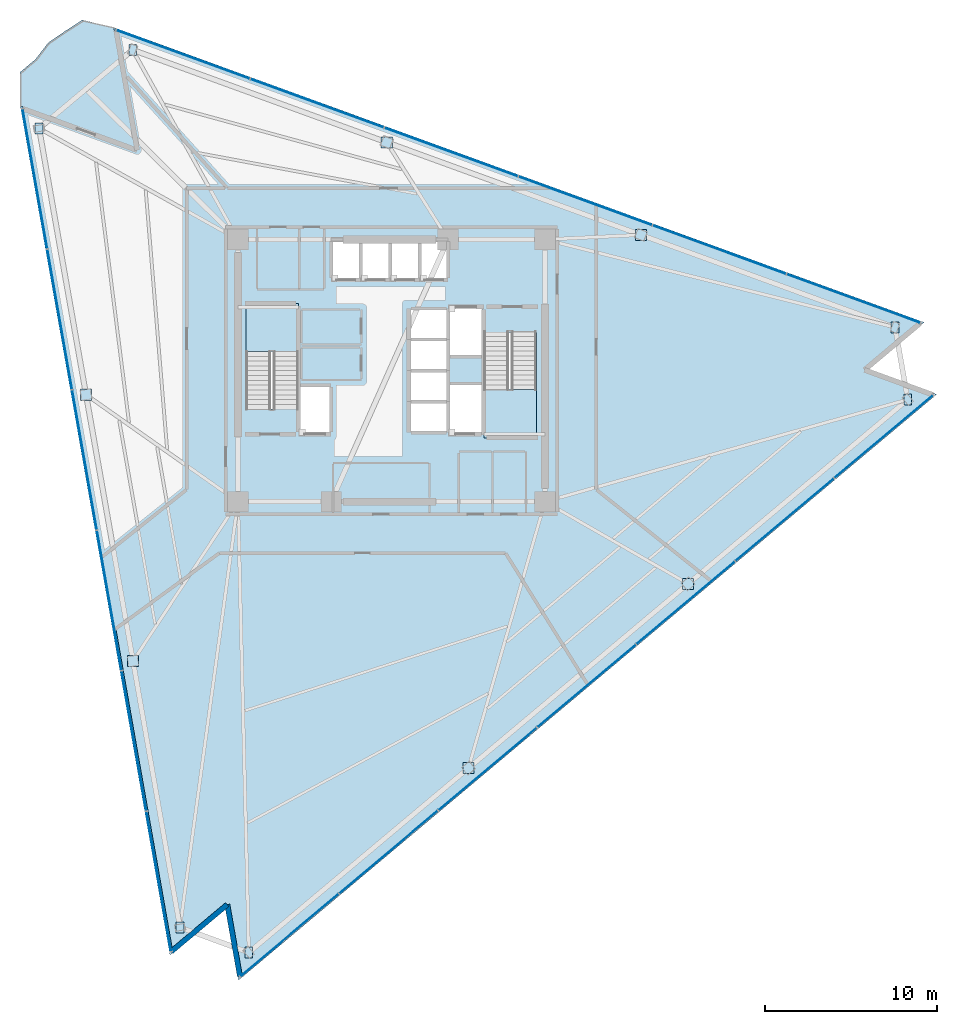
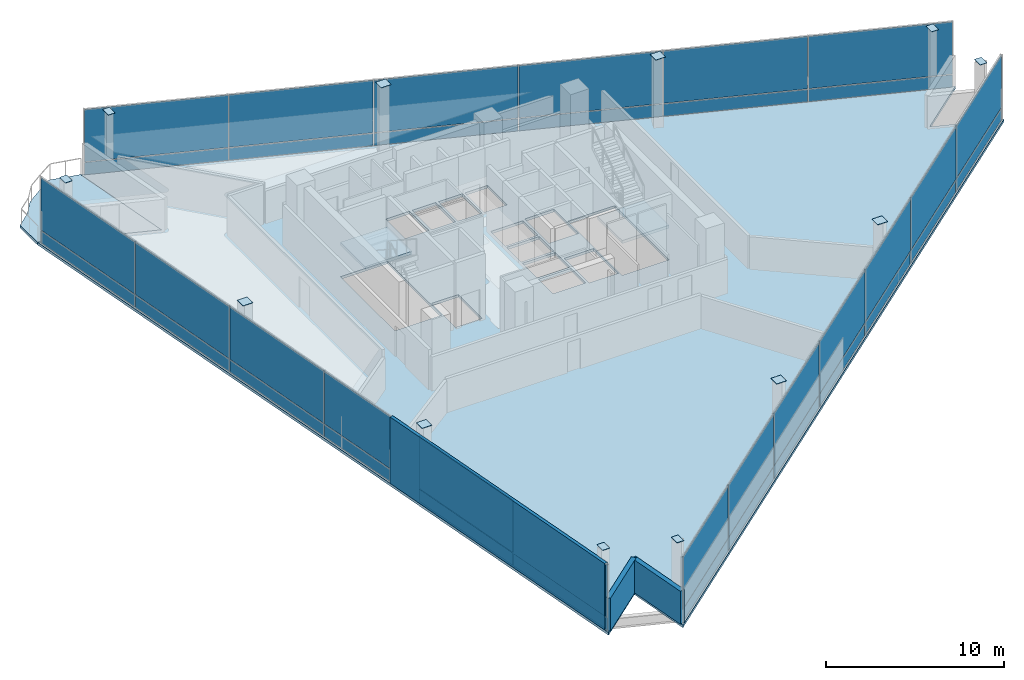
# One storey, part 9 of 15: 50 plates, 4 slabs, 3 walls, 5 elements without a shape of their own.
"""IFC4 building model written with IfcOpenShell, lengths in metres."""

from ifc_helpers import new_model, si_unit, direction, frame, frame_2d, origin, origin_2d, place, context, subcontext, project, spatial, polyline, rectangle, outline, extrude, material, layer, layer_set, type_object, element, aggregate, save


model = new_model("IFC4")

# Units and contexts
model_context = context("Model", 3, precision=1e-05, world=origin(), true_north=direction((0.0, 1.0)))
body_context = subcontext(model_context, "Body", "Model", "MODEL_VIEW")
ifc_project = project(units=[si_unit("LENGTHUNIT", "METRE"), si_unit("AREAUNIT", "SQUARE_METRE"), si_unit("VOLUMEUNIT", "CUBIC_METRE"), si_unit("PLANEANGLEUNIT", "RADIAN"), si_unit("MASSUNIT", "GRAM", prefix="KILO")], contexts=[model_context])

# Site, building, storey
site_placement = place(None, origin())
site = spatial("IfcSite", under=ifc_project, at=site_placement, CompositionType="ELEMENT")
building_placement = place(site_placement, origin())
building = spatial("IfcBuilding", under=site, at=building_placement, Name="Tharavind Bronze Gate", CompositionType="ELEMENT")
storey_placement = place(building_placement, frame((0.0, 0.0, 192.10009765625)))
storey = spatial("IfcBuildingStorey", under=building, at=storey_placement, Name="L49", CompositionType="ELEMENT", Elevation=192.10009765625)

# Curtain wall, plates
ifc_material_1 = material(Name="Anodised Bronze Aluminium", Category="aluminium")
ifc_layer_1 = layer(ifc_material_1, 0.219970703125)
ifc_layer_set_1 = layer_set([ifc_layer_1], Name="Anodised Bronze Aluminium")
curtain_wall_type = type_object("IfcCurtainWallType", Name="UNITISED CURTAIN WALL MID OFFICE", PredefinedType="USERDEFINED", material=ifc_layer_set_1)
curtain_wall_1_placement = place(storey_placement, origin())
curtain_wall_1 = element("IfcCurtainWall", 1, at=curtain_wall_1_placement, inside=storey, type_object=curtain_wall_type, Name="L49 unitised curtain wall mid office CW-L49-S1", ObjectType="UNITISED CURTAIN WALL", PredefinedType="USERDEFINED")
ifc_material_2 = material(Name="Patinated Bronze Alloy Sheet", Category="bronze")
ifc_layer_2 = layer(ifc_material_2, 0.01611328125)
ifc_layer_set_2 = layer_set([ifc_layer_2], Name="Patinated Bronze Alloy Sheet")
plate_type_1 = type_object("IfcPlateType", Name="BRONZE SPANDREL CLADDING PANEL 16", PredefinedType="CURTAIN_PANEL", material=ifc_layer_set_2)
plate_1_placement = place(storey_placement, frame((-20.678466796875, 11.118408203125, 0.0263671875), z_axis=(0.0, 0.0, 1.0), x_axis=(0.173648177667, -0.984807753012, 0.0)))
plate_1 = element("IfcPlate", 2, at=plate_1_placement, type_object=plate_type_1, Name="CW-L49-S1 bronze spandrel panel 1", PredefinedType="CURTAIN_PANEL", context=body_context, shape_type="SweptSolid", body=[
    extrude(rectangle(XDim=8.220458984375, YDim=0.01611328125, at=origin_2d()), origin(), (0.0, 0.0, 1.0), 0.846923828125),
])
plate_2_placement = place(storey_placement, frame((-19.24169921875, 2.970703125, 0.0263671875), z_axis=(0.0, 0.0, 1.0), x_axis=(0.173648177667, -0.984807753012, 0.0)))
plate_2 = element("IfcPlate", 3, at=plate_2_placement, type_object=plate_type_1, Name="CW-L49-S1 bronze spandrel panel 2", PredefinedType="CURTAIN_PANEL", context=body_context, shape_type="SweptSolid", body=[
    extrude(rectangle(XDim=8.220458984375, YDim=0.01611328125, at=origin_2d()), origin(), (0.0, 0.0, 1.0), 0.846923828125),
])
plate_3_placement = place(storey_placement, frame((-17.80517578125, -5.177001953125, 0.0263671875), z_axis=(0.0, 0.0, 1.0), x_axis=(0.173648177667, -0.984807753012, 0.0)))
plate_3 = element("IfcPlate", 4, at=plate_3_placement, type_object=plate_type_1, Name="CW-L49-S1 bronze spandrel panel 3", PredefinedType="CURTAIN_PANEL", context=body_context, shape_type="SweptSolid", body=[
    extrude(rectangle(XDim=8.220458984375, YDim=0.01611328125, at=origin_2d()), origin(), (0.0, 0.0, 1.0), 0.846923828125),
])
plate_4_placement = place(storey_placement, frame((-16.368408203125, -13.32470703125, 0.0263671875), z_axis=(0.0, 0.0, 1.0), x_axis=(0.173648177667, -0.984807753012, 0.0)))
plate_4 = element("IfcPlate", 5, at=plate_4_placement, type_object=plate_type_1, Name="CW-L49-S1 bronze spandrel panel 4", PredefinedType="CURTAIN_PANEL", context=body_context, shape_type="SweptSolid", body=[
    extrude(rectangle(XDim=8.220458984375, YDim=0.01611328125, at=origin_2d()), origin(), (0.0, 0.0, 1.0), 0.846923828125),
])
plate_5_placement = place(storey_placement, frame((-14.931884765625, -21.472412109375, 0.0263671875), z_axis=(0.0, 0.0, 1.0), x_axis=(0.173648177667, -0.984807753012, 0.0)))
plate_5 = element("IfcPlate", 6, at=plate_5_placement, type_object=plate_type_1, Name="CW-L49-S1 bronze spandrel panel 5", PredefinedType="CURTAIN_PANEL", context=body_context, shape_type="SweptSolid", body=[
    extrude(rectangle(XDim=8.220458984375, YDim=0.01611328125, at=origin_2d()), origin(), (0.0, 0.0, 1.0), 0.846923828125),
])
plate_6_placement = place(storey_placement, frame((-13.4951171875, -29.6201171875, 0.0263671875), z_axis=(0.0, 0.0, 1.0), x_axis=(0.173648177667, -0.984807753012, 0.0)))
plate_6 = element("IfcPlate", 7, at=plate_6_placement, type_object=plate_type_1, Name="CW-L49-S1 bronze spandrel panel 6", PredefinedType="CURTAIN_PANEL", context=body_context, shape_type="SweptSolid", body=[
    extrude(rectangle(XDim=8.220458984375, YDim=0.01611328125, at=origin_2d()), origin(), (0.0, 0.0, 1.0), 0.846923828125),
])

curtain_wall_2_placement = place(storey_placement, origin())
curtain_wall_2 = element("IfcCurtainWall", 8, at=curtain_wall_2_placement, inside=storey, type_object=curtain_wall_type, Name="L49 unitised curtain wall mid office CW-L49-S2", ObjectType="UNITISED CURTAIN WALL", PredefinedType="USERDEFINED")
plate_7_placement = place(storey_placement, frame((-5.913818359375, -32.737548828125, 0.0263671875), z_axis=(0.0, 0.0, 1.0), x_axis=(0.766043321242, 0.642788946685, 0.0)))
plate_7 = element("IfcPlate", 9, at=plate_7_placement, type_object=plate_type_1, Name="CW-L49-S2 bronze spandrel panel 1", PredefinedType="CURTAIN_PANEL", context=body_context, shape_type="SweptSolid", body=[
    extrude(rectangle(XDim=7.443115234375, YDim=0.01611328125, at=origin_2d()), origin(), (0.0, 0.0, 1.0), 0.846923828125),
])
plate_8_placement = place(storey_placement, frame((-0.171630859375, -27.919189453125, 0.0263671875), z_axis=(0.0, 0.0, 1.0), x_axis=(0.766043321242, 0.642788946685, 0.0)))
plate_8 = element("IfcPlate", 10, at=plate_8_placement, type_object=plate_type_1, Name="CW-L49-S2 bronze spandrel panel 2", PredefinedType="CURTAIN_PANEL", context=body_context, shape_type="SweptSolid", body=[
    extrude(rectangle(XDim=7.443115234375, YDim=0.01611328125, at=origin_2d()), origin(), (0.0, 0.0, 1.0), 0.846923828125),
])
plate_9_placement = place(storey_placement, frame((5.57080078125, -23.100830078125, 0.0263671875), z_axis=(0.0, 0.0, 1.0), x_axis=(0.766043321242, 0.642788946685, 0.0)))
plate_9 = element("IfcPlate", 11, at=plate_9_placement, type_object=plate_type_1, Name="CW-L49-S2 bronze spandrel panel 3", PredefinedType="CURTAIN_PANEL", context=body_context, shape_type="SweptSolid", body=[
    extrude(rectangle(XDim=7.443115234375, YDim=0.01611328125, at=origin_2d()), origin(), (0.0, 0.0, 1.0), 0.846923828125),
])
plate_10_placement = place(storey_placement, frame((11.31298828125, -18.282470703125, 0.0263671875), z_axis=(0.0, 0.0, 1.0), x_axis=(0.766043321242, 0.642788946685, 0.0)))
plate_10 = element("IfcPlate", 12, at=plate_10_placement, type_object=plate_type_1, Name="CW-L49-S2 bronze spandrel panel 4", PredefinedType="CURTAIN_PANEL", context=body_context, shape_type="SweptSolid", body=[
    extrude(rectangle(XDim=7.443115234375, YDim=0.01611328125, at=origin_2d()), origin(), (0.0, 0.0, 1.0), 0.846923828125),
])
plate_11_placement = place(storey_placement, frame((17.055419921875, -13.464111328125, 0.0263671875), z_axis=(0.0, 0.0, 1.0), x_axis=(0.766043321242, 0.642788946685, 0.0)))
plate_11 = element("IfcPlate", 13, at=plate_11_placement, type_object=plate_type_1, Name="CW-L49-S2 bronze spandrel panel 5", PredefinedType="CURTAIN_PANEL", context=body_context, shape_type="SweptSolid", body=[
    extrude(rectangle(XDim=7.443115234375, YDim=0.01611328125, at=origin_2d()), origin(), (0.0, 0.0, 1.0), 0.846923828125),
])
plate_12_placement = place(storey_placement, frame((22.797607421875, -8.645751953125, 0.0263671875), z_axis=(0.0, 0.0, 1.0), x_axis=(0.766043321242, 0.642788946685, 0.0)))
plate_12 = element("IfcPlate", 14, at=plate_12_placement, type_object=plate_type_1, Name="CW-L49-S2 bronze spandrel panel 6", PredefinedType="CURTAIN_PANEL", context=body_context, shape_type="SweptSolid", body=[
    extrude(rectangle(XDim=7.443115234375, YDim=0.01611328125, at=origin_2d()), origin(), (0.0, 0.0, 1.0), 0.846923828125),
])
plate_13_placement = place(storey_placement, frame((28.539794921875, -3.827392578125, 0.0263671875), z_axis=(0.0, 0.0, 1.0), x_axis=(0.766043321242, 0.642788946685, 0.0)))
plate_13 = element("IfcPlate", 15, at=plate_13_placement, type_object=plate_type_1, Name="CW-L49-S2 bronze spandrel panel 7", PredefinedType="CURTAIN_PANEL", context=body_context, shape_type="SweptSolid", body=[
    extrude(rectangle(XDim=7.443115234375, YDim=0.01611328125, at=origin_2d()), origin(), (0.0, 0.0, 1.0), 0.846923828125),
])

curtain_wall_3_placement = place(storey_placement, origin())
curtain_wall_3 = element("IfcCurtainWall", 16, at=curtain_wall_3_placement, inside=storey, type_object=curtain_wall_type, Name="L49 unitised curtain wall mid office CW-L49-S3", ObjectType="UNITISED CURTAIN WALL", PredefinedType="USERDEFINED")
plate_14_placement = place(storey_placement, frame((26.7861328125, 4.18017578125, 0.0263671875), z_axis=(0.0, 0.0, 1.0), x_axis=(-0.939692023847, 0.342021783398, 0.0)))
plate_14 = element("IfcPlate", 17, at=plate_14_placement, type_object=plate_type_1, Name="CW-L49-S3 bronze spandrel panel 1", PredefinedType="CURTAIN_PANEL", context=body_context, shape_type="SweptSolid", body=[
    extrude(rectangle(XDim=8.220458984375, YDim=0.01611328125, at=origin_2d()), origin(), (0.0, 0.0, 1.0), 0.846923828125),
])
plate_15_placement = place(storey_placement, frame((19.01171875, 7.009765625, 0.0263671875), z_axis=(0.0, 0.0, 1.0), x_axis=(-0.939692023847, 0.342021783398, 0.0)))
plate_15 = element("IfcPlate", 18, at=plate_15_placement, type_object=plate_type_1, Name="CW-L49-S3 bronze spandrel panel 2", PredefinedType="CURTAIN_PANEL", context=body_context, shape_type="SweptSolid", body=[
    extrude(rectangle(XDim=8.220458984375, YDim=0.01611328125, at=origin_2d()), origin(), (0.0, 0.0, 1.0), 0.846923828125),
])
plate_16_placement = place(storey_placement, frame((11.2373046875, 9.839599609375, 0.0263671875), z_axis=(0.0, 0.0, 1.0), x_axis=(-0.939692023847, 0.342021783398, 0.0)))
plate_16 = element("IfcPlate", 19, at=plate_16_placement, type_object=plate_type_1, Name="CW-L49-S3 bronze spandrel panel 3", PredefinedType="CURTAIN_PANEL", context=body_context, shape_type="SweptSolid", body=[
    extrude(rectangle(XDim=8.220458984375, YDim=0.01611328125, at=origin_2d()), origin(), (0.0, 0.0, 1.0), 0.846923828125),
])
plate_17_placement = place(storey_placement, frame((3.462890625, 12.669189453125, 0.0263671875), z_axis=(0.0, 0.0, 1.0), x_axis=(-0.939692023847, 0.342021783398, 0.0)))
plate_17 = element("IfcPlate", 20, at=plate_17_placement, type_object=plate_type_1, Name="CW-L49-S3 bronze spandrel panel 4", PredefinedType="CURTAIN_PANEL", context=body_context, shape_type="SweptSolid", body=[
    extrude(rectangle(XDim=8.220458984375, YDim=0.01611328125, at=origin_2d()), origin(), (0.0, 0.0, 1.0), 0.846923828125),
])
plate_18_placement = place(storey_placement, frame((-4.3115234375, 15.498779296875, 0.0263671875), z_axis=(0.0, 0.0, 1.0), x_axis=(-0.939692023847, 0.342021783398, 0.0)))
plate_18 = element("IfcPlate", 21, at=plate_18_placement, type_object=plate_type_1, Name="CW-L49-S3 bronze spandrel panel 5", PredefinedType="CURTAIN_PANEL", context=body_context, shape_type="SweptSolid", body=[
    extrude(rectangle(XDim=8.220458984375, YDim=0.01611328125, at=origin_2d()), origin(), (0.0, 0.0, 1.0), 0.846923828125),
])
plate_19_placement = place(storey_placement, frame((-12.0859375, 18.32861328125, 0.0263671875), z_axis=(0.0, 0.0, 1.0), x_axis=(-0.939692023847, 0.342021783398, 0.0)))
plate_19 = element("IfcPlate", 22, at=plate_19_placement, type_object=plate_type_1, Name="CW-L49-S3 bronze spandrel panel 6", PredefinedType="CURTAIN_PANEL", context=body_context, shape_type="SweptSolid", body=[
    extrude(rectangle(XDim=8.220458984375, YDim=0.01611328125, at=origin_2d()), origin(), (0.0, 0.0, 1.0), 0.846923828125),
])

# Slab
ifc_material_3 = material(Name="Concrete C40/50", Category="concrete")
ifc_layer_3 = layer(ifc_material_3, 0.179931640625)
ifc_layer_set_3 = layer_set([ifc_layer_3], Name="Concrete C40/50")
slab_type_1 = type_object("IfcSlabType", Name="EXTERIOR BALCONY SLAB 180", PredefinedType="FLOOR", material=ifc_layer_set_3)
slab_1_placement = place(storey_placement, frame((0.0, 0.0, -0.18017578125)))
element("IfcSlab", 23, at=slab_1_placement, inside=storey, type_object=slab_type_1, Name="L49 northeast tree balcony slab", PredefinedType="FLOOR", context=body_context, shape_type="SweptSolid", body=[
    extrude(outline(polyline([(-17.92333984375, 20.325927734375), (-18.92236328125, 19.680908203125), (-19.8984375, 19.00830078125), (-20.635009765625, 18.050537109375), (-21.5390625, 17.2919921875), (-21.525390625, 15.345458984375), (-14.872314453125, 12.924072265625), (-16.101806640625, 19.896484375), (-17.92333984375, 20.325927734375)])), origin(), (0.0, 0.0, 1.0), 0.18017578125),
])

# Stair, slab
stair_type = type_object("IfcStairType", Name="CORE HALF TURN STAIR 1450", PredefinedType="HALF_TURN_STAIR", material=ifc_material_3)
stair_1_placement = place(storey_placement, origin())
stair_1 = element("IfcStair", 24, at=stair_1_placement, inside=storey, type_object=stair_type, Name="L49 Protected Exit Stair ST1", PredefinedType="HALF_TURN_STAIR")
ifc_layer_4 = layer(ifc_material_3, 0.199951171875)
ifc_layer_set_4 = layer_set([ifc_layer_4], Name="Concrete C40/50")
slab_type_2 = type_object("IfcSlabType", Name="STAIR LANDING SLAB 200", PredefinedType="LANDING", material=ifc_layer_set_4)
slab_2_placement = place(storey_placement, frame((0.0, 0.0, 2.1748046875)))
slab_2 = element("IfcSlab", 25, at=slab_2_placement, type_object=slab_type_2, Name="ST1 landing 1", PredefinedType="LANDING", context=body_context, shape_type="SweptSolid", body=[
    extrude(outline(polyline([(-5.39990234375, 1.110107421875), (-5.39990234375, 3.89990234375), (-8.449951171875, 3.89990234375), (-8.449951171875, 1.110107421875), (-5.39990234375, 1.110107421875)])), origin(), (0.0, 0.0, 1.0), 0.2001953125),
])
aggregate(stair_1, [slab_2])

stair_2_placement = place(storey_placement, origin())
stair_2 = element("IfcStair", 26, at=stair_2_placement, inside=storey, type_object=stair_type, Name="L49 Protected Exit Stair ST2", PredefinedType="HALF_TURN_STAIR")
slab_3_placement = place(storey_placement, frame((0.0, 0.0, 2.1748046875)))
slab_3 = element("IfcSlab", 27, at=slab_3_placement, type_object=slab_type_2, Name="ST2 landing 1", PredefinedType="LANDING", context=body_context, shape_type="SweptSolid", body=[
    extrude(outline(polyline([(5.35009765625, -1.110107421875), (5.35009765625, -3.89990234375), (8.39990234375, -3.89990234375), (8.39990234375, -1.110107421875), (5.35009765625, -1.110107421875)])), origin(), (0.0, 0.0, 1.0), 0.2001953125),
])
aggregate(stair_2, [slab_3])

# Plates
ifc_material_4 = material(Name="Steel S460", Category="steel")
ifc_layer_5 = layer(ifc_material_4, 0.02490234375)
ifc_layer_set_5 = layer_set([ifc_layer_5], Name="Steel S460")
plate_type_2 = type_object("IfcPlateType", Name="STEEL END CAP SHEET 25", PredefinedType="SHEET", material=ifc_layer_set_5)
plate_20_placement = place(storey_placement, frame((-20.4326171875, 14.043212890625, 4.737548828125), z_axis=(0.0, 0.0, 1.0), x_axis=(1.0, 0.0, 0.0)))
element("IfcPlate", 28, at=plate_20_placement, inside=storey, type_object=plate_type_2, Name="Steel end cap plate CAP-COLT-L49-S1C1", PredefinedType="SHEET", context=body_context, shape_type="SweptSolid", body=[
    extrude(rectangle(XDim=0.445068359375, YDim=0.64501953125, at=origin_2d()), origin(), (0.0, 0.0, 1.0), 0.02490234375),
])
for number, where, z_axis, x_axis, name in (
    (29, (-17.709716796875, -1.3994140625, 4.737548828125), (0.0, 0.0, 1.0), (1.0, 0.0, 0.0), "Steel end cap plate CAP-COLT-L49-S1C2"),
    (30, (-14.98681640625, -16.841796875, 4.737548828125), (0.0, 0.0, 1.0), (1.0, 0.0, 0.0), "Steel end cap plate CAP-COLT-L49-S1C3"),
):
    element("IfcPlate", number, at=place(storey_placement, frame(where, z_axis=z_axis, x_axis=x_axis)), inside=storey, type_object=plate_type_2, Name=name, PredefinedType="SHEET", context=body_context, shape_type="SweptSolid", body=[
        extrude(rectangle(XDim=0.64501953125, YDim=0.64501953125, at=origin_2d()), origin(), (0.0, 0.0, 1.0), 0.02490234375),
    ])
for number, where, z_axis, x_axis, name in (
    (31, (-12.263916015625, -32.2841796875, 4.737548828125), (0.0, 0.0, 1.0), (1.0, 0.0, 0.0), "Steel end cap plate CAP-COLT-L49-S1C4"),
    (32, (-8.27197265625, -33.737060546875, 4.737548828125), (0.0, 0.0, 1.0), (1.0, 0.0, 0.0), "Steel end cap plate CAP-COLT-L49-S2C1"),
):
    element("IfcPlate", number, at=place(storey_placement, frame(where, z_axis=z_axis, x_axis=x_axis)), inside=storey, type_object=plate_type_2, Name=name, PredefinedType="SHEET", context=body_context, shape_type="SweptSolid", body=[
        extrude(rectangle(XDim=0.445068359375, YDim=0.64501953125, at=origin_2d()), origin(), (0.0, 0.0, 1.0), 0.02490234375),
    ])
for number, where, z_axis, x_axis, name in (
    (33, (4.46337890625, -23.05078125, 4.737548828125), (0.0, 0.0, 1.0), (1.0, 0.0, 0.0), "Steel end cap plate CAP-COLT-L49-S2C2"),
    (34, (17.198486328125, -12.36474609375, 4.737548828125), (0.0, 0.0, 1.0), (1.0, 0.0, 0.0), "Steel end cap plate CAP-COLT-L49-S2C3"),
):
    element("IfcPlate", number, at=place(storey_placement, frame(where, z_axis=z_axis, x_axis=x_axis)), inside=storey, type_object=plate_type_2, Name=name, PredefinedType="SHEET", context=body_context, shape_type="SweptSolid", body=[
        extrude(rectangle(XDim=0.64501953125, YDim=0.64501953125, at=origin_2d()), origin(), (0.0, 0.0, 1.0), 0.02490234375),
    ])
for number, where, z_axis, x_axis, name in (
    (35, (29.933837890625, -1.6787109375, 4.737548828125), (0.0, 0.0, 1.0), (1.0, 0.0, 0.0), "Steel end cap plate CAP-COLT-L49-S2C4"),
    (36, (29.1962890625, 2.5048828125, 4.737548828125), (0.0, 0.0, 1.0), (1.0, 0.0, 0.0), "Steel end cap plate CAP-COLT-L49-S3C1"),
):
    element("IfcPlate", number, at=place(storey_placement, frame(where, z_axis=z_axis, x_axis=x_axis)), inside=storey, type_object=plate_type_2, Name=name, PredefinedType="SHEET", context=body_context, shape_type="SweptSolid", body=[
        extrude(rectangle(XDim=0.445068359375, YDim=0.64501953125, at=origin_2d()), origin(), (0.0, 0.0, 1.0), 0.02490234375),
    ])
for number, where, z_axis, x_axis, name in (
    (37, (14.461181640625, 7.867919921875, 4.737548828125), (0.0, 0.0, 1.0), (1.0, 0.0, 0.0), "Steel end cap plate CAP-COLT-L49-S3C2"),
    (38, (-0.27392578125, 13.231201171875, 4.737548828125), (0.0, 0.0, 1.0), (1.0, 0.0, 0.0), "Steel end cap plate CAP-COLT-L49-S3C3"),
):
    element("IfcPlate", number, at=place(storey_placement, frame(where, z_axis=z_axis, x_axis=x_axis)), inside=storey, type_object=plate_type_2, Name=name, PredefinedType="SHEET", context=body_context, shape_type="SweptSolid", body=[
        extrude(rectangle(XDim=0.64501953125, YDim=0.64501953125, at=origin_2d()), origin(), (0.0, 0.0, 1.0), 0.02490234375),
    ])
plate_21_placement = place(storey_placement, frame((-15.0087890625, 18.59423828125, 4.737548828125), z_axis=(0.0, 0.0, 1.0), x_axis=(1.0, 0.0, 0.0)))
element("IfcPlate", 39, at=plate_21_placement, inside=storey, type_object=plate_type_2, Name="Steel end cap plate CAP-COLT-L49-S3C4", PredefinedType="SHEET", context=body_context, shape_type="SweptSolid", body=[
    extrude(rectangle(XDim=0.445068359375, YDim=0.64501953125, at=origin_2d()), origin(), (0.0, 0.0, 1.0), 0.02490234375),
])

# Slab
ifc_layer_6 = layer(ifc_material_3, 0.179931640625)
ifc_layer_set_6 = layer_set([ifc_layer_6], Name="Concrete C40/50")
slab_type_3 = type_object("IfcSlabType", Name="STRUCTURAL FLOOR SLAB 180", PredefinedType="FLOOR", material=ifc_layer_set_6)
slab_4_placement = place(storey_placement, frame((0.0, 0.0, -0.18017578125)))
element("IfcSlab", 40, at=slab_4_placement, inside=storey, type_object=slab_type_3, Name="L49 main structural floor slab", PredefinedType="FLOOR", context=body_context, shape_type="SweptSolid", body=[
    extrude(outline(polyline([(-16.101806640625, 19.896484375), (-14.872314453125, 12.924072265625), (-21.525390625, 15.345458984375), (-12.84521484375, -33.881591796875), (-9.591064453125, -31.151123046875), (-8.853515625, -35.334716796875), (31.60791015625, -1.38330078125), (27.6162109375, 0.069580078125), (30.870361328125, 2.800048828125), (-16.101806640625, 19.896484375)]), holes=[polyline([(-5.39990234375, -2.215087890625), (-5.39990234375, 3.89990234375), (-8.449951171875, 3.89990234375), (-8.449951171875, -2.215087890625), (-5.39990234375, -2.215087890625)]), polyline([(5.35009765625, 2.215087890625), (5.35009765625, -3.89990234375), (8.39990234375, -3.89990234375), (8.39990234375, 2.215087890625), (5.35009765625, 2.215087890625)]), polyline([(-3.419921875, 5.330078125), (-1.867431640625, 5.330078125), (-1.867431640625, 7.52001953125), (-3.419921875, 7.52001953125), (-3.419921875, 5.330078125)]), polyline([(-1.70751953125, 5.330078125), (-0.155029296875, 5.330078125), (-0.155029296875, 7.52001953125), (-1.70751953125, 7.52001953125), (-1.70751953125, 5.330078125)]), polyline([(0.0048828125, 5.330078125), (1.5576171875, 5.330078125), (1.5576171875, 7.52001953125), (0.0048828125, 7.52001953125), (0.0048828125, 5.330078125)]), polyline([(1.717529296875, 5.330078125), (3.199951171875, 5.330078125), (3.199951171875, 7.52001953125), (1.717529296875, 7.52001953125), (1.717529296875, 5.330078125)]), polyline([(1.080078125, -3.52001953125), (3.199951171875, -3.52001953125), (3.199951171875, -1.8798828125), (1.080078125, -1.8798828125), (1.080078125, -3.52001953125)]), polyline([(1.080078125, -1.719970703125), (3.199951171875, -1.719970703125), (3.199951171875, -0.080078125), (1.080078125, -0.080078125), (1.080078125, -1.719970703125)]), polyline([(1.080078125, 0.080078125), (3.199951171875, 0.080078125), (3.199951171875, 1.719970703125), (1.080078125, 1.719970703125), (1.080078125, 0.080078125)]), polyline([(1.080078125, 1.8798828125), (3.199951171875, 1.8798828125), (3.199951171875, 3.52001953125), (1.080078125, 3.52001953125), (1.080078125, 1.8798828125)]), polyline([(-5.320068359375, -3.6201171875), (-3.580078125, -3.6201171875), (-3.580078125, -0.929931640625), (-5.320068359375, -0.929931640625), (-5.320068359375, -3.6201171875)]), polyline([(3.360107421875, 0.8798828125), (5.27001953125, 0.8798828125), (5.27001953125, 3.6201171875), (3.360107421875, 3.6201171875), (3.360107421875, 0.8798828125)]), polyline([(3.360107421875, -3.6201171875), (5.27001953125, -3.6201171875), (5.27001953125, -0.830078125), (3.360107421875, -0.830078125), (3.360107421875, -3.6201171875)])]), origin(), (0.0, 0.0, 1.0), 0.18017578125),
])

# Plate
ifc_material_5 = material(Name="Triple Solar Control Glazing", Category="glass")
ifc_layer_7 = layer(ifc_material_5, 0.0439453125)
ifc_layer_set_7 = layer_set([ifc_layer_7], Name="Triple Solar Control Glazing")
plate_type_3 = type_object("IfcPlateType", Name="TRIPLE GLAZED FACADE PANEL 44", PredefinedType="CURTAIN_PANEL", material=ifc_layer_set_7)
plate_22_placement = place(storey_placement, frame((-20.678466796875, 11.118408203125, 0.926513671875), z_axis=(0.0, 0.0, 1.0), x_axis=(0.173648177667, -0.984807753012, 0.0)))
plate_22 = element("IfcPlate", 41, at=plate_22_placement, type_object=plate_type_3, Name="CW-L49-S1 vision glazing panel 1", PredefinedType="CURTAIN_PANEL", context=body_context, shape_type="SweptSolid", body=[
    extrude(rectangle(XDim=8.220458984375, YDim=0.0439453125, at=origin_2d()), origin(), (0.0, 0.0, 1.0), 3.60693359375),
])

plate_23_placement = place(storey_placement, frame((-19.24169921875, 2.970703125, 0.926513671875), z_axis=(0.0, 0.0, 1.0), x_axis=(0.173648177667, -0.984807753012, 0.0)))
plate_23 = element("IfcPlate", 42, at=plate_23_placement, type_object=plate_type_3, Name="CW-L49-S1 vision glazing panel 2", PredefinedType="CURTAIN_PANEL", context=body_context, shape_type="SweptSolid", body=[
    extrude(rectangle(XDim=8.220458984375, YDim=0.0439453125, at=origin_2d()), origin(), (0.0, 0.0, 1.0), 3.60693359375),
])

plate_24_placement = place(storey_placement, frame((-17.80517578125, -5.177001953125, 0.926513671875), z_axis=(0.0, 0.0, 1.0), x_axis=(0.173648177667, -0.984807753012, 0.0)))
plate_24 = element("IfcPlate", 43, at=plate_24_placement, type_object=plate_type_3, Name="CW-L49-S1 vision glazing panel 3", PredefinedType="CURTAIN_PANEL", context=body_context, shape_type="SweptSolid", body=[
    extrude(rectangle(XDim=8.220458984375, YDim=0.0439453125, at=origin_2d()), origin(), (0.0, 0.0, 1.0), 3.60693359375),
])

plate_25_placement = place(storey_placement, frame((-16.368408203125, -13.32470703125, 0.926513671875), z_axis=(0.0, 0.0, 1.0), x_axis=(0.173648177667, -0.984807753012, 0.0)))
plate_25 = element("IfcPlate", 44, at=plate_25_placement, type_object=plate_type_3, Name="CW-L49-S1 vision glazing panel 4", PredefinedType="CURTAIN_PANEL", context=body_context, shape_type="SweptSolid", body=[
    extrude(rectangle(XDim=8.220458984375, YDim=0.0439453125, at=origin_2d()), origin(), (0.0, 0.0, 1.0), 3.60693359375),
])

plate_26_placement = place(storey_placement, frame((-14.931884765625, -21.472412109375, 0.926513671875), z_axis=(0.0, 0.0, 1.0), x_axis=(0.173648177667, -0.984807753012, 0.0)))
plate_26 = element("IfcPlate", 45, at=plate_26_placement, type_object=plate_type_3, Name="CW-L49-S1 vision glazing panel 5", PredefinedType="CURTAIN_PANEL", context=body_context, shape_type="SweptSolid", body=[
    extrude(rectangle(XDim=8.220458984375, YDim=0.0439453125, at=origin_2d()), origin(), (0.0, 0.0, 1.0), 3.60693359375),
])

plate_27_placement = place(storey_placement, frame((-13.4951171875, -29.6201171875, 0.926513671875), z_axis=(0.0, 0.0, 1.0), x_axis=(0.173648177667, -0.984807753012, 0.0)))
plate_27 = element("IfcPlate", 46, at=plate_27_placement, type_object=plate_type_3, Name="CW-L49-S1 vision glazing panel 6", PredefinedType="CURTAIN_PANEL", context=body_context, shape_type="SweptSolid", body=[
    extrude(rectangle(XDim=8.220458984375, YDim=0.0439453125, at=origin_2d()), origin(), (0.0, 0.0, 1.0), 3.60693359375),
])

aggregate(curtain_wall_1, [plate_1, plate_22, plate_2, plate_23, plate_3, plate_24, plate_4, plate_25, plate_5, plate_26, plate_6, plate_27])

plate_28_placement = place(storey_placement, frame((-5.913818359375, -32.737548828125, 0.926513671875), z_axis=(0.0, 0.0, 1.0), x_axis=(0.766043321242, 0.642788946685, 0.0)))
plate_28 = element("IfcPlate", 47, at=plate_28_placement, type_object=plate_type_3, Name="CW-L49-S2 vision glazing panel 1", PredefinedType="CURTAIN_PANEL", context=body_context, shape_type="SweptSolid", body=[
    extrude(rectangle(XDim=7.443115234375, YDim=0.0439453125, at=origin_2d()), origin(), (0.0, 0.0, 1.0), 3.60693359375),
])

plate_29_placement = place(storey_placement, frame((-0.171630859375, -27.919189453125, 0.926513671875), z_axis=(0.0, 0.0, 1.0), x_axis=(0.766043321242, 0.642788946685, 0.0)))
plate_29 = element("IfcPlate", 48, at=plate_29_placement, type_object=plate_type_3, Name="CW-L49-S2 vision glazing panel 2", PredefinedType="CURTAIN_PANEL", context=body_context, shape_type="SweptSolid", body=[
    extrude(rectangle(XDim=7.443115234375, YDim=0.0439453125, at=origin_2d()), origin(), (0.0, 0.0, 1.0), 3.60693359375),
])

plate_30_placement = place(storey_placement, frame((5.57080078125, -23.100830078125, 0.926513671875), z_axis=(0.0, 0.0, 1.0), x_axis=(0.766043321242, 0.642788946685, 0.0)))
plate_30 = element("IfcPlate", 49, at=plate_30_placement, type_object=plate_type_3, Name="CW-L49-S2 vision glazing panel 3", PredefinedType="CURTAIN_PANEL", context=body_context, shape_type="SweptSolid", body=[
    extrude(rectangle(XDim=7.443115234375, YDim=0.0439453125, at=origin_2d()), origin(), (0.0, 0.0, 1.0), 3.60693359375),
])

plate_31_placement = place(storey_placement, frame((11.31298828125, -18.282470703125, 0.926513671875), z_axis=(0.0, 0.0, 1.0), x_axis=(0.766043321242, 0.642788946685, 0.0)))
plate_31 = element("IfcPlate", 50, at=plate_31_placement, type_object=plate_type_3, Name="CW-L49-S2 vision glazing panel 4", PredefinedType="CURTAIN_PANEL", context=body_context, shape_type="SweptSolid", body=[
    extrude(rectangle(XDim=7.443115234375, YDim=0.0439453125, at=origin_2d()), origin(), (0.0, 0.0, 1.0), 3.60693359375),
])

plate_32_placement = place(storey_placement, frame((17.055419921875, -13.464111328125, 0.926513671875), z_axis=(0.0, 0.0, 1.0), x_axis=(0.766043321242, 0.642788946685, 0.0)))
plate_32 = element("IfcPlate", 51, at=plate_32_placement, type_object=plate_type_3, Name="CW-L49-S2 vision glazing panel 5", PredefinedType="CURTAIN_PANEL", context=body_context, shape_type="SweptSolid", body=[
    extrude(rectangle(XDim=7.443115234375, YDim=0.0439453125, at=origin_2d()), origin(), (0.0, 0.0, 1.0), 3.60693359375),
])

plate_33_placement = place(storey_placement, frame((22.797607421875, -8.645751953125, 0.926513671875), z_axis=(0.0, 0.0, 1.0), x_axis=(0.766043321242, 0.642788946685, 0.0)))
plate_33 = element("IfcPlate", 52, at=plate_33_placement, type_object=plate_type_3, Name="CW-L49-S2 vision glazing panel 6", PredefinedType="CURTAIN_PANEL", context=body_context, shape_type="SweptSolid", body=[
    extrude(rectangle(XDim=7.443115234375, YDim=0.0439453125, at=origin_2d()), origin(), (0.0, 0.0, 1.0), 3.60693359375),
])

plate_34_placement = place(storey_placement, frame((28.539794921875, -3.827392578125, 0.926513671875), z_axis=(0.0, 0.0, 1.0), x_axis=(0.766043321242, 0.642788946685, 0.0)))
plate_34 = element("IfcPlate", 53, at=plate_34_placement, type_object=plate_type_3, Name="CW-L49-S2 vision glazing panel 7", PredefinedType="CURTAIN_PANEL", context=body_context, shape_type="SweptSolid", body=[
    extrude(rectangle(XDim=7.443115234375, YDim=0.0439453125, at=origin_2d()), origin(), (0.0, 0.0, 1.0), 3.60693359375),
])

aggregate(curtain_wall_2, [plate_7, plate_28, plate_8, plate_29, plate_9, plate_30, plate_10, plate_31, plate_11, plate_32, plate_12, plate_33, plate_13, plate_34])

plate_35_placement = place(storey_placement, frame((26.7861328125, 4.18017578125, 0.926513671875), z_axis=(0.0, 0.0, 1.0), x_axis=(-0.939692023847, 0.342021783398, 0.0)))
plate_35 = element("IfcPlate", 54, at=plate_35_placement, type_object=plate_type_3, Name="CW-L49-S3 vision glazing panel 1", PredefinedType="CURTAIN_PANEL", context=body_context, shape_type="SweptSolid", body=[
    extrude(rectangle(XDim=8.220458984375, YDim=0.0439453125, at=origin_2d()), origin(), (0.0, 0.0, 1.0), 3.60693359375),
])

plate_36_placement = place(storey_placement, frame((19.01171875, 7.009765625, 0.926513671875), z_axis=(0.0, 0.0, 1.0), x_axis=(-0.939692023847, 0.342021783398, 0.0)))
plate_36 = element("IfcPlate", 55, at=plate_36_placement, type_object=plate_type_3, Name="CW-L49-S3 vision glazing panel 2", PredefinedType="CURTAIN_PANEL", context=body_context, shape_type="SweptSolid", body=[
    extrude(rectangle(XDim=8.220458984375, YDim=0.0439453125, at=origin_2d()), origin(), (0.0, 0.0, 1.0), 3.60693359375),
])

plate_37_placement = place(storey_placement, frame((11.2373046875, 9.839599609375, 0.926513671875), z_axis=(0.0, 0.0, 1.0), x_axis=(-0.939692023847, 0.342021783398, 0.0)))
plate_37 = element("IfcPlate", 56, at=plate_37_placement, type_object=plate_type_3, Name="CW-L49-S3 vision glazing panel 3", PredefinedType="CURTAIN_PANEL", context=body_context, shape_type="SweptSolid", body=[
    extrude(rectangle(XDim=8.220458984375, YDim=0.0439453125, at=origin_2d()), origin(), (0.0, 0.0, 1.0), 3.60693359375),
])

plate_38_placement = place(storey_placement, frame((3.462890625, 12.669189453125, 0.926513671875), z_axis=(0.0, 0.0, 1.0), x_axis=(-0.939692023847, 0.342021783398, 0.0)))
plate_38 = element("IfcPlate", 57, at=plate_38_placement, type_object=plate_type_3, Name="CW-L49-S3 vision glazing panel 4", PredefinedType="CURTAIN_PANEL", context=body_context, shape_type="SweptSolid", body=[
    extrude(rectangle(XDim=8.220458984375, YDim=0.0439453125, at=origin_2d()), origin(), (0.0, 0.0, 1.0), 3.60693359375),
])

plate_39_placement = place(storey_placement, frame((-4.3115234375, 15.498779296875, 0.926513671875), z_axis=(0.0, 0.0, 1.0), x_axis=(-0.939692023847, 0.342021783398, 0.0)))
plate_39 = element("IfcPlate", 58, at=plate_39_placement, type_object=plate_type_3, Name="CW-L49-S3 vision glazing panel 5", PredefinedType="CURTAIN_PANEL", context=body_context, shape_type="SweptSolid", body=[
    extrude(rectangle(XDim=8.220458984375, YDim=0.0439453125, at=origin_2d()), origin(), (0.0, 0.0, 1.0), 3.60693359375),
])

plate_40_placement = place(storey_placement, frame((-12.0859375, 18.32861328125, 0.926513671875), z_axis=(0.0, 0.0, 1.0), x_axis=(-0.939692023847, 0.342021783398, 0.0)))
plate_40 = element("IfcPlate", 59, at=plate_40_placement, type_object=plate_type_3, Name="CW-L49-S3 vision glazing panel 6", PredefinedType="CURTAIN_PANEL", context=body_context, shape_type="SweptSolid", body=[
    extrude(rectangle(XDim=8.220458984375, YDim=0.0439453125, at=origin_2d()), origin(), (0.0, 0.0, 1.0), 3.60693359375),
])

aggregate(curtain_wall_3, [plate_14, plate_35, plate_15, plate_36, plate_16, plate_37, plate_17, plate_38, plate_18, plate_39, plate_19, plate_40])

# Walls
ifc_layer_8 = layer(ifc_material_3, 0.300048828125)
ifc_layer_set_8 = layer_set([ifc_layer_8], Name="Concrete C40/50")
wall_type_1 = type_object("IfcWallType", Name="EXTERIOR SPANDREL WALL 300", PredefinedType="STANDARD", material=ifc_layer_set_8)
for number, where, z_axis, x_axis, name in (
    (60, (-12.77685546875, -33.69384765625, 0.0), (0.0, 0.0, 1.0), (0.766026302848, 0.6428092278, 0.0), "L49 notch cheek wall 2A"),
    (61, (-9.522705078125, -30.963134765625, 0.0), (0.0, 0.0, 1.0), (0.173673864443, -0.984803223395, 0.0), "L49 notch cheek wall 2B"),
):
    element("IfcWall", number, at=place(storey_placement, frame(where, z_axis=z_axis, x_axis=x_axis)), inside=storey, type_object=wall_type_1, Name=name, PredefinedType="STANDARD", context=body_context, shape_type="SweptSolid", body=[
        extrude(rectangle(XDim=4.248046875, YDim=0.300048828125, at=frame_2d((2.1240234375, 0.0))), origin(), (0.0, 0.0, 1.0), 2.2548828125),
    ])
ifc_material_6 = material(Name="Aerated Concrete Block", Category="concrete")
ifc_layer_9 = layer(ifc_material_6, 0.199951171875)
ifc_layer_set_9 = layer_set([ifc_layer_9], Name="Aerated Concrete Block")
wall_type_2 = type_object("IfcWallType", Name="FIRE RATED PARTITION 200", PredefinedType="PARTITIONING", material=ifc_layer_set_9)
wall_placement = place(storey_placement, frame((-12.807861328125, -33.517578125, 0.0), z_axis=(0.0, 0.0, 1.0), x_axis=(-0.173651092949, 0.984807238965, 0.0)))
element("IfcWall", 62, at=wall_placement, inside=storey, type_object=wall_type_2, Name="L49 Public Restrooms Block partition", PredefinedType="PARTITIONING", context=body_context, shape_type="SweptSolid", body=[
    extrude(rectangle(XDim=18.779052734375, YDim=0.199951171875, at=frame_2d((9.3896484375, 0.0))), origin(), (0.0, 0.0, 1.0), 4.559814453125),
])

save(model, "model.ifc")
